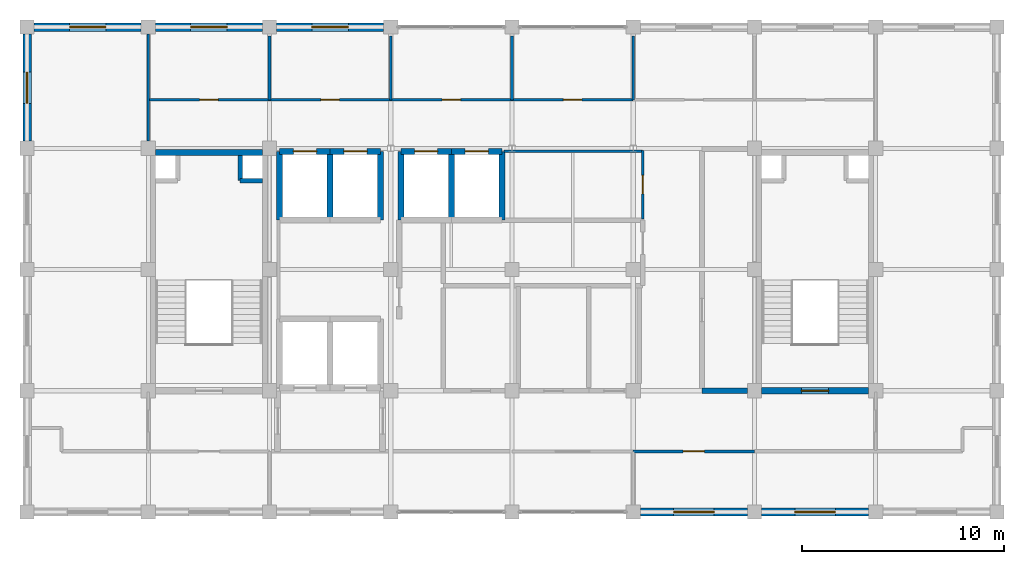
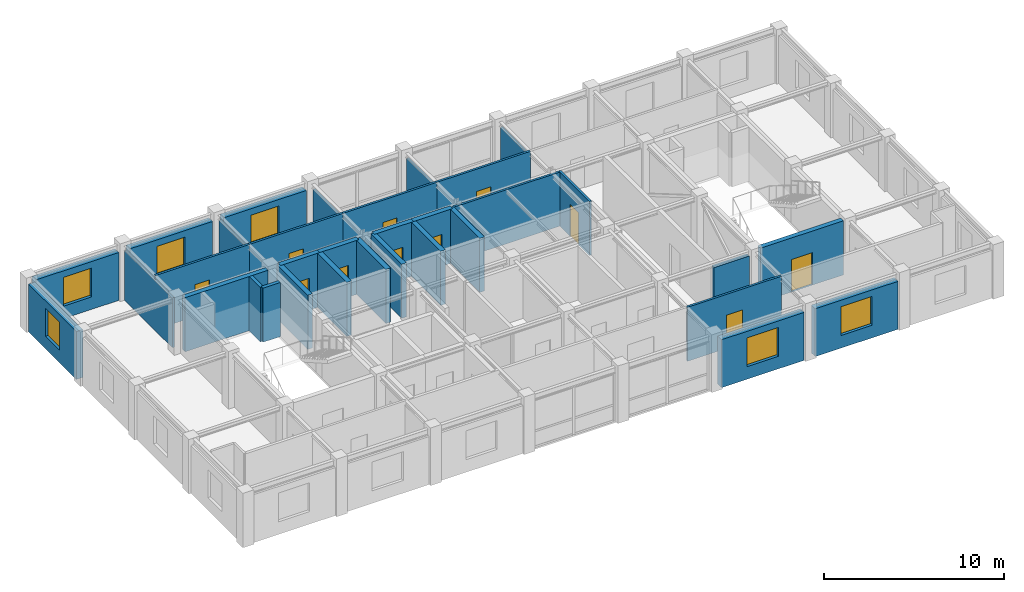
# One storey, part 9 of 11: 33 walls, 11 doors, 6 windows, 17 openings.
"""IFC4 building model written with IfcOpenShell, lengths in metres."""

from ifc_helpers import new_model, si_unit, direction, frame, frame_2d, origin, place, context, subcontext, project, spatial, rectangle, extrude, material, layer, layer_set, type_object, element, fill, save


model = new_model("IFC4")

# Units and contexts
model_context = context("Model", 3, precision=1e-05, world=origin(), true_north=direction((0.0, 1.0)))
body_context = subcontext(model_context, "Body", "Model", "MODEL_VIEW")
ifc_project = project(units=[si_unit("LENGTHUNIT", "METRE"), si_unit("AREAUNIT", "SQUARE_METRE"), si_unit("VOLUMEUNIT", "CUBIC_METRE"), si_unit("PLANEANGLEUNIT", "RADIAN"), si_unit("MASSUNIT", "GRAM", prefix="KILO")], contexts=[model_context])

# Site, building, storey
site_placement = place(None, origin())
site = spatial("IfcSite", under=ifc_project, at=site_placement, CompositionType="ELEMENT")
building_placement = place(site_placement, origin())
building = spatial("IfcBuilding", under=site, at=building_placement, Name="Zlatovratsky Civic Hall", CompositionType="ELEMENT")
storey_placement = place(building_placement, frame((0.0, 0.0, 63.89990234375)))
storey = spatial("IfcBuildingStorey", under=building, at=storey_placement, Name="L16", CompositionType="ELEMENT", Elevation=63.89990234375)

# Wall
ifc_material_1 = material(Name="Acoustic ceramic blockwork", Category="masonry")
ifc_layer_1 = layer(ifc_material_1, 0.260009765625)
ifc_layer_set_1 = layer_set([ifc_layer_1], Name="Acoustic ceramic blockwork")
wall_type_1 = type_object("IfcWallType", Name="Wall_ArchiveCompartment_260", PredefinedType="PARTITIONING", material=ifc_layer_set_1)
wall_1_placement = place(storey_placement, frame((93.39990234375, 84.0, 0.0), z_axis=(0.0, 0.0, 1.0), x_axis=(1.0, 0.0, 0.0)))
element("IfcWall", 1, at=wall_1_placement, inside=storey, type_object=wall_type_1, Name="WL-6734", PredefinedType="PARTITIONING", context=body_context, shape_type="SweptSolid", body=[
    extrude(rectangle(XDim=2.25, YDim=0.260009765625, at=frame_2d((1.125, 0.0))), origin(), (0.0, 0.0, 1.0), 3.369140625),
])

# Wall, opening, door
ifc_material_2 = material(Name="Fire-rated gypsum board framing", Category="gypsum")
ifc_layer_2 = layer(ifc_material_2, 0.139892578125)
ifc_layer_set_2 = layer_set([ifc_layer_2], Name="Fire-rated gypsum board framing")
wall_type_2 = type_object("IfcWallType", Name="Wall_OfficePartition_140", PredefinedType="PARTITIONING", material=ifc_layer_set_2)
wall_2_placement = place(storey_placement, frame((90.0, 81.0, 0.0), z_axis=(0.0, 0.0, 1.0), x_axis=(1.0, 0.0, 0.0)))
wall_2 = element("IfcWall", 2, at=wall_2_placement, inside=storey, type_object=wall_type_2, Name="WL-6749", PredefinedType="PARTITIONING", context=body_context, shape_type="SweptSolid", body=[
    extrude(rectangle(XDim=6.0, YDim=0.139892578125, at=frame_2d((3.0, 0.0))), origin(), (0.0, 0.0, 1.0), 3.66015625),
])
opening_1_placement = place(wall_2_placement, frame((2.47509765625, 0.0, 0.0)))
opening_1 = element("IfcOpeningElement", 3, at=opening_1_placement, cuts=wall_2, Name="Opening D-24", PredefinedType="OPENING", context=body_context, shape_type="SweptSolid", body=[
    extrude(rectangle(XDim=1.050048828125, YDim=2.25, at=frame_2d((0.52490234375, 1.125))), frame((0.0, 0.0849609375, 0.0), z_axis=(0.0, -1.0, 0.0), x_axis=(1.0, 0.0, 0.0)), (0.0, 0.0, 1.0), 0.169677734375),
])
ifc_material_3 = material(Name="Solid oak joinery in steel frame", Category="steel")
door_type_1 = type_object("IfcDoorType", Name="Door_DirectorateOffice_1050x2250", OperationType="NOTDEFINED", PredefinedType="DOOR", material=ifc_material_3)
door_1_placement = place(opening_1_placement, origin())
door_1 = element("IfcDoor", 4, at=door_1_placement, inside=storey, type_object=door_type_1, Name="DR-5546", OperationType="SINGLE_SWING_RIGHT", OverallHeight=2.25, OverallWidth=1.050048828125, PredefinedType="DOOR", context=body_context, shape_type="SweptSolid", body=[
    extrude(rectangle(XDim=1.050048828125, YDim=2.25, at=frame_2d((0.52490234375, 1.125))), frame((0.0, 0.02490234375, 0.0), z_axis=(0.0, -1.0, 0.0), x_axis=(1.0, 0.0, 0.0)), (0.0, 0.0, 1.0), 0.050048828125),
])
fill(opening_1, door_1)

wall_3_placement = place(storey_placement, frame((90.469970703125, 92.5, 0.0), z_axis=(0.0, 0.0, 1.0), x_axis=(0.0, 1.0, 0.0)))
wall_3 = element("IfcWall", 5, at=wall_3_placement, inside=storey, type_object=wall_type_2, Name="WL-6751", PredefinedType="PARTITIONING", context=body_context, shape_type="SweptSolid", body=[
    extrude(rectangle(XDim=3.39990234375, YDim=0.139892578125, at=frame_2d((1.699951171875, 0.0))), origin(), (0.0, 0.0, 1.0), 3.66015625),
])
opening_2_placement = place(wall_3_placement, frame((1.239990234375, 0.0, 0.0)))
opening_2 = element("IfcOpeningElement", 6, at=opening_2_placement, cuts=wall_3, Name="Opening D-23", PredefinedType="OPENING", context=body_context, shape_type="SweptSolid", body=[
    extrude(rectangle(XDim=0.919921875, YDim=2.14990234375, at=frame_2d((0.4599609375, 1.074951171875))), frame((0.0, 0.0849609375, 0.0), z_axis=(0.0, -1.0, 0.0), x_axis=(1.0, 0.0, 0.0)), (0.0, 0.0, 1.0), 0.169677734375),
])
door_type_2 = type_object("IfcDoorType", Name="Door_OfficeStandard_920x2150", OperationType="NOTDEFINED", PredefinedType="DOOR", material=ifc_material_3)
door_2_placement = place(opening_2_placement, origin())
door_2 = element("IfcDoor", 7, at=door_2_placement, inside=storey, type_object=door_type_2, Name="DR-5548", OperationType="SINGLE_SWING_LEFT", OverallHeight=2.14990234375, OverallWidth=0.919921875, PredefinedType="DOOR", context=body_context, shape_type="SweptSolid", body=[
    extrude(rectangle(XDim=0.919921875, YDim=2.14990234375, at=frame_2d((0.4599609375, 1.074951171875))), frame((0.0, 0.02490234375, 0.0), z_axis=(0.0, -1.0, 0.0), x_axis=(1.0, 0.0, 0.0)), (0.0, 0.0, 1.0), 0.050048828125),
])
fill(opening_2, door_2)

wall_4_placement = place(storey_placement, frame((66.0, 98.39990234375, 0.0), z_axis=(0.0, 0.0, 1.0), x_axis=(1.0, 0.0, 0.0)))
wall_4 = element("IfcWall", 8, at=wall_4_placement, inside=storey, type_object=wall_type_2, Name="WL-6752", PredefinedType="PARTITIONING", context=body_context, shape_type="SweptSolid", body=[
    extrude(rectangle(XDim=6.0, YDim=0.139892578125, at=frame_2d((3.0, 0.0))), origin(), (0.0, 0.0, 1.0), 3.66015625),
])
opening_3_placement = place(wall_4_placement, frame((2.5400390625, 0.0, 0.0)))
opening_3 = element("IfcOpeningElement", 9, at=opening_3_placement, cuts=wall_4, Name="Opening D-23", PredefinedType="OPENING", context=body_context, shape_type="SweptSolid", body=[
    extrude(rectangle(XDim=0.919921875, YDim=2.14990234375, at=frame_2d((0.4599609375, 1.074951171875))), frame((0.0, 0.0849609375, 0.0), z_axis=(0.0, -1.0, 0.0), x_axis=(1.0, 0.0, 0.0)), (0.0, 0.0, 1.0), 0.169677734375),
])
door_3_placement = place(opening_3_placement, origin())
door_3 = element("IfcDoor", 10, at=door_3_placement, inside=storey, type_object=door_type_2, Name="DR-5549", OperationType="SINGLE_SWING_RIGHT", OverallHeight=2.14990234375, OverallWidth=0.919921875, PredefinedType="DOOR", context=body_context, shape_type="SweptSolid", body=[
    extrude(rectangle(XDim=0.919921875, YDim=2.14990234375, at=frame_2d((0.4599609375, 1.074951171875))), frame((0.0, 0.02490234375, 0.0), z_axis=(0.0, -1.0, 0.0), x_axis=(1.0, 0.0, 0.0)), (0.0, 0.0, 1.0), 0.050048828125),
])
fill(opening_3, door_3)

wall_5_placement = place(storey_placement, frame((72.0, 98.39990234375, 0.0), z_axis=(0.0, 0.0, 1.0), x_axis=(1.0, 0.0, 0.0)))
wall_5 = element("IfcWall", 11, at=wall_5_placement, inside=storey, type_object=wall_type_2, Name="WL-6753", PredefinedType="PARTITIONING", context=body_context, shape_type="SweptSolid", body=[
    extrude(rectangle(XDim=6.0, YDim=0.139892578125, at=frame_2d((3.0, 0.0))), origin(), (0.0, 0.0, 1.0), 3.66015625),
])
opening_4_placement = place(wall_5_placement, frame((2.5400390625, 0.0, 0.0)))
opening_4 = element("IfcOpeningElement", 12, at=opening_4_placement, cuts=wall_5, Name="Opening D-23", PredefinedType="OPENING", context=body_context, shape_type="SweptSolid", body=[
    extrude(rectangle(XDim=0.919921875, YDim=2.14990234375, at=frame_2d((0.4599609375, 1.074951171875))), frame((0.0, 0.0849609375, 0.0), z_axis=(0.0, -1.0, 0.0), x_axis=(1.0, 0.0, 0.0)), (0.0, 0.0, 1.0), 0.169677734375),
])
door_4_placement = place(opening_4_placement, origin())
door_4 = element("IfcDoor", 13, at=door_4_placement, inside=storey, type_object=door_type_2, Name="DR-5550", OperationType="SINGLE_SWING_RIGHT", OverallHeight=2.14990234375, OverallWidth=0.919921875, PredefinedType="DOOR", context=body_context, shape_type="SweptSolid", body=[
    extrude(rectangle(XDim=0.919921875, YDim=2.14990234375, at=frame_2d((0.4599609375, 1.074951171875))), frame((0.0, 0.02490234375, 0.0), z_axis=(0.0, -1.0, 0.0), x_axis=(1.0, 0.0, 0.0)), (0.0, 0.0, 1.0), 0.050048828125),
])
fill(opening_4, door_4)

wall_6_placement = place(storey_placement, frame((78.0, 98.39990234375, 0.0), z_axis=(0.0, 0.0, 1.0), x_axis=(1.0, 0.0, 0.0)))
wall_6 = element("IfcWall", 14, at=wall_6_placement, inside=storey, type_object=wall_type_2, Name="WL-6754", PredefinedType="PARTITIONING", context=body_context, shape_type="SweptSolid", body=[
    extrude(rectangle(XDim=6.0, YDim=0.139892578125, at=frame_2d((3.0, 0.0))), origin(), (0.0, 0.0, 1.0), 3.66015625),
])
opening_5_placement = place(wall_6_placement, frame((2.5400390625, 0.0, 0.0)))
opening_5 = element("IfcOpeningElement", 15, at=opening_5_placement, cuts=wall_6, Name="Opening D-23", PredefinedType="OPENING", context=body_context, shape_type="SweptSolid", body=[
    extrude(rectangle(XDim=0.919921875, YDim=2.14990234375, at=frame_2d((0.4599609375, 1.074951171875))), frame((0.0, 0.0849609375, 0.0), z_axis=(0.0, -1.0, 0.0), x_axis=(1.0, 0.0, 0.0)), (0.0, 0.0, 1.0), 0.169677734375),
])
door_5_placement = place(opening_5_placement, origin())
door_5 = element("IfcDoor", 16, at=door_5_placement, inside=storey, type_object=door_type_2, Name="DR-5551", OperationType="SINGLE_SWING_RIGHT", OverallHeight=2.14990234375, OverallWidth=0.919921875, PredefinedType="DOOR", context=body_context, shape_type="SweptSolid", body=[
    extrude(rectangle(XDim=0.919921875, YDim=2.14990234375, at=frame_2d((0.4599609375, 1.074951171875))), frame((0.0, 0.02490234375, 0.0), z_axis=(0.0, -1.0, 0.0), x_axis=(1.0, 0.0, 0.0)), (0.0, 0.0, 1.0), 0.050048828125),
])
fill(opening_5, door_5)

wall_7_placement = place(storey_placement, frame((84.0, 98.39990234375, 0.0), z_axis=(0.0, 0.0, 1.0), x_axis=(1.0, 0.0, 0.0)))
wall_7 = element("IfcWall", 17, at=wall_7_placement, inside=storey, type_object=wall_type_2, Name="WL-6755", PredefinedType="PARTITIONING", context=body_context, shape_type="SweptSolid", body=[
    extrude(rectangle(XDim=6.0, YDim=0.139892578125, at=frame_2d((3.0, 0.0))), origin(), (0.0, 0.0, 1.0), 3.66015625),
])
opening_6_placement = place(wall_7_placement, frame((2.5400390625, 0.0, 0.0)))
opening_6 = element("IfcOpeningElement", 18, at=opening_6_placement, cuts=wall_7, Name="Opening D-23", PredefinedType="OPENING", context=body_context, shape_type="SweptSolid", body=[
    extrude(rectangle(XDim=0.919921875, YDim=2.14990234375, at=frame_2d((0.4599609375, 1.074951171875))), frame((0.0, 0.0849609375, 0.0), z_axis=(0.0, -1.0, 0.0), x_axis=(1.0, 0.0, 0.0)), (0.0, 0.0, 1.0), 0.169677734375),
])
door_6_placement = place(opening_6_placement, origin())
door_6 = element("IfcDoor", 19, at=door_6_placement, inside=storey, type_object=door_type_2, Name="DR-5552", OperationType="SINGLE_SWING_RIGHT", OverallHeight=2.14990234375, OverallWidth=0.919921875, PredefinedType="DOOR", context=body_context, shape_type="SweptSolid", body=[
    extrude(rectangle(XDim=0.919921875, YDim=2.14990234375, at=frame_2d((0.4599609375, 1.074951171875))), frame((0.0, 0.02490234375, 0.0), z_axis=(0.0, -1.0, 0.0), x_axis=(1.0, 0.0, 0.0)), (0.0, 0.0, 1.0), 0.050048828125),
])
fill(opening_6, door_6)

# Walls
wall_8_placement = place(storey_placement, frame((83.60009765625, 95.85009765625, 0.0), z_axis=(0.0, 0.0, 1.0), x_axis=(1.0, 0.0, 0.0)))
element("IfcWall", 20, at=wall_8_placement, inside=storey, type_object=wall_type_2, Name="WL-6761", PredefinedType="PARTITIONING", context=body_context, shape_type="SweptSolid", body=[
    extrude(rectangle(XDim=6.869873046875, YDim=0.139892578125, at=frame_2d((3.43505859375, 0.0))), origin(), (0.0, 0.0, 1.0), 3.66015625),
])
for number, where, z_axis, x_axis, name in (
    (21, (72.0, 98.39990234375, 0.0), (0.0, 0.0, 1.0), (0.0, 1.0, 0.0), "WL-6762"),
    (22, (78.0, 98.39990234375, 0.0), (0.0, 0.0, 1.0), (0.0, 1.0, 0.0), "WL-6763"),
    (23, (84.0, 98.39990234375, 0.0), (0.0, 0.0, 1.0), (0.0, 1.0, 0.0), "WL-6764"),
    (24, (90.0, 98.39990234375, 0.0), (0.0, 0.0, 1.0), (0.0, 1.0, 0.0), "WL-6765"),
):
    element("IfcWall", number, at=place(storey_placement, frame(where, z_axis=z_axis, x_axis=x_axis)), inside=storey, type_object=wall_type_2, Name=name, PredefinedType="PARTITIONING", context=body_context, shape_type="SweptSolid", body=[
        extrude(rectangle(XDim=3.150146484375, YDim=0.139892578125, at=frame_2d((1.5751953125, 0.0))), origin(), (0.0, 0.0, 1.0), 3.369140625),
    ])
wall_9_placement = place(storey_placement, frame((66.0, 96.35009765625, 0.0), z_axis=(0.0, 0.0, 1.0), x_axis=(0.0, 1.0, 0.0)))
element("IfcWall", 25, at=wall_9_placement, inside=storey, type_object=wall_type_2, Name="WL-6778", PredefinedType="PARTITIONING", context=body_context, shape_type="SweptSolid", body=[
    extrude(rectangle(XDim=5.2998046875, YDim=0.139892578125, at=frame_2d((2.64990234375, 0.0))), origin(), (0.0, 0.0, 1.0), 3.369140625),
])
ifc_layer_3 = layer(ifc_material_1, 0.219970703125)
ifc_layer_set_3 = layer_set([ifc_layer_3], Name="Acoustic ceramic blockwork")
wall_type_3 = type_object("IfcWallType", Name="Wall_SanitaryWetCore_220", PredefinedType="PARTITIONING", material=ifc_layer_set_3)
wall_10_placement = place(storey_placement, frame((70.550048828125, 94.39990234375, 0.0), z_axis=(0.0, 0.0, 1.0), x_axis=(0.0, 1.0, 0.0)))
element("IfcWall", 26, at=wall_10_placement, inside=storey, type_object=wall_type_3, Name="WL-5135", PredefinedType="PARTITIONING", context=body_context, shape_type="SweptSolid", body=[
    extrude(rectangle(XDim=1.25, YDim=0.219970703125, at=frame_2d((0.625, 0.0))), origin(), (0.0, 0.0, 1.0), 3.66015625),
])
wall_11_placement = place(storey_placement, frame((70.550048828125, 94.39990234375, 0.0), z_axis=(0.0, 0.0, 1.0), x_axis=(1.0, 0.0, 0.0)))
element("IfcWall", 27, at=wall_11_placement, inside=storey, type_object=wall_type_3, Name="WL-5136", PredefinedType="PARTITIONING", context=body_context, shape_type="SweptSolid", body=[
    extrude(rectangle(XDim=1.099853515625, YDim=0.219970703125, at=frame_2d((0.5498046875, 0.0))), origin(), (0.0, 0.0, 1.0), 3.66015625),
])
ifc_material_4 = material(Name="Concrete C35/45 (B40)", Category="concrete")
ifc_layer_4 = layer(ifc_material_4, 0.300048828125)
ifc_layer_set_4 = layer_set([ifc_layer_4], Name="Concrete C35/45 (B40)")
wall_type_4 = type_object("IfcWallType", Name="Wall_StairAndLiftShaft_300", PredefinedType="SHEAR", material=ifc_layer_set_4)
wall_12_placement = place(storey_placement, frame((66.35009765625, 95.800048828125, 0.0), z_axis=(0.0, 0.0, 1.0), x_axis=(1.0, 0.0, 0.0)))
element("IfcWall", 28, at=wall_12_placement, inside=storey, type_object=wall_type_4, Name="WL-5130", PredefinedType="SHEAR", context=body_context, shape_type="SweptSolid", body=[
    extrude(rectangle(XDim=5.2998046875, YDim=0.300048828125, at=frame_2d((2.64990234375, 0.0))), origin(), (0.0, 0.0, 1.0), 3.66015625),
])

# Wall, opening, door
wall_13_placement = place(storey_placement, frame((96.35009765625, 84.0, 0.0), z_axis=(0.0, 0.0, 1.0), x_axis=(1.0, 0.0, 0.0)))
wall_13 = element("IfcWall", 29, at=wall_13_placement, inside=storey, type_object=wall_type_4, Name="WL-5287", PredefinedType="SHEAR", context=body_context, shape_type="SweptSolid", body=[
    extrude(rectangle(XDim=5.2998046875, YDim=0.300048828125, at=frame_2d((2.64990234375, 0.0))), origin(), (0.0, 0.0, 1.0), 3.66015625),
])
opening_7_placement = place(wall_13_placement, frame((1.97509765625, 0.0, 0.0)))
opening_7 = element("IfcOpeningElement", 30, at=opening_7_placement, cuts=wall_13, Name="Opening D-17", PredefinedType="OPENING", context=body_context, shape_type="SweptSolid", body=[
    extrude(rectangle(XDim=1.35009765625, YDim=2.199951171875, at=frame_2d((0.675048828125, 1.10009765625))), frame((0.0, 0.1650390625, 0.0), z_axis=(0.0, -1.0, 0.0), x_axis=(1.0, 0.0, 0.0)), (0.0, 0.0, 1.0), 0.329833984375),
])
ifc_material_5 = material(Name="Insulated painted fire-rated steel leaf", Category="steel")
door_type_3 = type_object("IfcDoorType", Name="Door_StairwellFireTower_1350x2200", OperationType="NOTDEFINED", PredefinedType="DOOR", material=ifc_material_5)
door_7_placement = place(opening_7_placement, origin())
door_7 = element("IfcDoor", 31, at=door_7_placement, inside=storey, type_object=door_type_3, Name="DR-5036", OperationType="SINGLE_SWING_LEFT", OverallHeight=2.199951171875, OverallWidth=1.35009765625, PredefinedType="DOOR", context=body_context, shape_type="SweptSolid", body=[
    extrude(rectangle(XDim=1.35009765625, YDim=2.199951171875, at=frame_2d((0.675048828125, 1.10009765625))), frame((0.0, 0.02490234375, 0.0), z_axis=(0.0, -1.0, 0.0), x_axis=(1.0, 0.0, 0.0)), (0.0, 0.0, 1.0), 0.050048828125),
])
fill(opening_7, door_7)

wall_14_placement = place(storey_placement, frame((72.5, 95.85009765625, 0.0), z_axis=(0.0, 0.0, 1.0), x_axis=(1.0, 0.0, 0.0)))
wall_14 = element("IfcWall", 32, at=wall_14_placement, inside=storey, type_object=wall_type_4, Name="WL-5674", PredefinedType="SHEAR", context=body_context, shape_type="SweptSolid", body=[
    extrude(rectangle(XDim=2.5, YDim=0.300048828125, at=frame_2d((1.25, 0.0))), origin(), (0.0, 0.0, 1.0), 3.66015625),
])
opening_8_placement = place(wall_14_placement, frame((0.675048828125, 0.0, 0.0)))
opening_8 = element("IfcOpeningElement", 33, at=opening_8_placement, cuts=wall_14, Name="Opening LD-02", PredefinedType="OPENING", context=body_context, shape_type="SweptSolid", body=[
    extrude(rectangle(XDim=1.14990234375, YDim=2.14990234375, at=frame_2d((0.574951171875, 1.074951171875))), frame((0.0, 0.1650390625, 0.0), z_axis=(0.0, -1.0, 0.0), x_axis=(1.0, 0.0, 0.0)), (0.0, 0.0, 1.0), 0.329833984375),
])
ifc_material_6 = material(Name="Brushed stainless steel AISI 304", Category="steel")
door_type_4 = type_object("IfcDoorType", Name="Door_LiftLandingHighRise_1150x2150", OperationType="DOUBLE_DOOR_SLIDING", PredefinedType="DOOR", material=ifc_material_6)
door_8_placement = place(opening_8_placement, origin())
door_8 = element("IfcDoor", 34, at=door_8_placement, inside=storey, type_object=door_type_4, Name="Lift landing door LD-5113", OperationType="DOUBLE_DOOR_SLIDING", OverallHeight=2.14990234375, OverallWidth=1.14990234375, PredefinedType="DOOR", context=body_context, shape_type="SweptSolid", body=[
    extrude(rectangle(XDim=1.14990234375, YDim=2.14990234375, at=frame_2d((0.574951171875, 1.074951171875))), frame((0.0, 0.02490234375, 0.0), z_axis=(0.0, -1.0, 0.0), x_axis=(1.0, 0.0, 0.0)), (0.0, 0.0, 1.0), 0.050048828125),
])
fill(opening_8, door_8)

# Wall
wall_15_placement = place(storey_placement, frame((72.5, 92.449951171875, 0.0), z_axis=(0.0, 0.0, 1.0), x_axis=(0.0, 1.0, 0.0)))
element("IfcWall", 35, at=wall_15_placement, inside=storey, type_object=wall_type_4, Name="WL-5676", PredefinedType="SHEAR", context=body_context, shape_type="SweptSolid", body=[
    extrude(rectangle(XDim=3.400146484375, YDim=0.300048828125, at=frame_2d((1.7001953125, 0.0))), origin(), (0.0, 0.0, 1.0), 3.66015625),
])

# Wall, opening, door
wall_16_placement = place(storey_placement, frame((75.0, 95.85009765625, 0.0), z_axis=(0.0, 0.0, 1.0), x_axis=(1.0, 0.0, 0.0)))
wall_16 = element("IfcWall", 36, at=wall_16_placement, inside=storey, type_object=wall_type_4, Name="WL-5747", PredefinedType="SHEAR", context=body_context, shape_type="SweptSolid", body=[
    extrude(rectangle(XDim=2.5, YDim=0.300048828125, at=frame_2d((1.25, 0.0))), origin(), (0.0, 0.0, 1.0), 3.66015625),
])
opening_9_placement = place(wall_16_placement, frame((0.675048828125, 0.0, 0.0)))
opening_9 = element("IfcOpeningElement", 37, at=opening_9_placement, cuts=wall_16, Name="Opening LD-02", PredefinedType="OPENING", context=body_context, shape_type="SweptSolid", body=[
    extrude(rectangle(XDim=1.14990234375, YDim=2.14990234375, at=frame_2d((0.574951171875, 1.074951171875))), frame((0.0, 0.1650390625, 0.0), z_axis=(0.0, -1.0, 0.0), x_axis=(1.0, 0.0, 0.0)), (0.0, 0.0, 1.0), 0.329833984375),
])
door_9_placement = place(opening_9_placement, origin())
door_9 = element("IfcDoor", 38, at=door_9_placement, inside=storey, type_object=door_type_4, Name="Lift landing door LD-5132", OperationType="DOUBLE_DOOR_SLIDING", OverallHeight=2.14990234375, OverallWidth=1.14990234375, PredefinedType="DOOR", context=body_context, shape_type="SweptSolid", body=[
    extrude(rectangle(XDim=1.14990234375, YDim=2.14990234375, at=frame_2d((0.574951171875, 1.074951171875))), frame((0.0, 0.02490234375, 0.0), z_axis=(0.0, -1.0, 0.0), x_axis=(1.0, 0.0, 0.0)), (0.0, 0.0, 1.0), 0.050048828125),
])
fill(opening_9, door_9)

# Walls
for number, where, z_axis, x_axis, name in (
    (39, (75.0, 92.449951171875, 0.0), (0.0, 0.0, 1.0), (0.0, 1.0, 0.0), "WL-5749"),
    (40, (77.5, 92.449951171875, 0.0), (0.0, 0.0, 1.0), (0.0, 1.0, 0.0), "WL-5750"),
):
    element("IfcWall", number, at=place(storey_placement, frame(where, z_axis=z_axis, x_axis=x_axis)), inside=storey, type_object=wall_type_4, Name=name, PredefinedType="SHEAR", context=body_context, shape_type="SweptSolid", body=[
        extrude(rectangle(XDim=3.400146484375, YDim=0.300048828125, at=frame_2d((1.7001953125, 0.0))), origin(), (0.0, 0.0, 1.0), 3.66015625),
    ])

# Wall, opening, door
wall_17_placement = place(storey_placement, frame((78.5, 95.85009765625, 0.0), z_axis=(0.0, 0.0, 1.0), x_axis=(1.0, 0.0, 0.0)))
wall_17 = element("IfcWall", 41, at=wall_17_placement, inside=storey, type_object=wall_type_4, Name="WL-5807", PredefinedType="SHEAR", context=body_context, shape_type="SweptSolid", body=[
    extrude(rectangle(XDim=2.5, YDim=0.300048828125, at=frame_2d((1.25, 0.0))), origin(), (0.0, 0.0, 1.0), 3.66015625),
])
opening_10_placement = place(wall_17_placement, frame((0.675048828125, 0.0, 0.0)))
opening_10 = element("IfcOpeningElement", 42, at=opening_10_placement, cuts=wall_17, Name="Opening LD-02", PredefinedType="OPENING", context=body_context, shape_type="SweptSolid", body=[
    extrude(rectangle(XDim=1.14990234375, YDim=2.14990234375, at=frame_2d((0.574951171875, 1.074951171875))), frame((0.0, 0.1650390625, 0.0), z_axis=(0.0, -1.0, 0.0), x_axis=(1.0, 0.0, 0.0)), (0.0, 0.0, 1.0), 0.329833984375),
])
door_10_placement = place(opening_10_placement, origin())
door_10 = element("IfcDoor", 43, at=door_10_placement, inside=storey, type_object=door_type_4, Name="Lift landing door LD-5151", OperationType="DOUBLE_DOOR_SLIDING", OverallHeight=2.14990234375, OverallWidth=1.14990234375, PredefinedType="DOOR", context=body_context, shape_type="SweptSolid", body=[
    extrude(rectangle(XDim=1.14990234375, YDim=2.14990234375, at=frame_2d((0.574951171875, 1.074951171875))), frame((0.0, 0.02490234375, 0.0), z_axis=(0.0, -1.0, 0.0), x_axis=(1.0, 0.0, 0.0)), (0.0, 0.0, 1.0), 0.050048828125),
])
fill(opening_10, door_10)

# Wall
wall_18_placement = place(storey_placement, frame((78.5, 92.449951171875, 0.0), z_axis=(0.0, 0.0, 1.0), x_axis=(0.0, 1.0, 0.0)))
element("IfcWall", 44, at=wall_18_placement, inside=storey, type_object=wall_type_4, Name="WL-5809", PredefinedType="SHEAR", context=body_context, shape_type="SweptSolid", body=[
    extrude(rectangle(XDim=3.400146484375, YDim=0.300048828125, at=frame_2d((1.7001953125, 0.0))), origin(), (0.0, 0.0, 1.0), 3.66015625),
])

# Wall, opening, door
wall_19_placement = place(storey_placement, frame((81.0, 95.85009765625, 0.0), z_axis=(0.0, 0.0, 1.0), x_axis=(1.0, 0.0, 0.0)))
wall_19 = element("IfcWall", 45, at=wall_19_placement, inside=storey, type_object=wall_type_4, Name="WL-5880", PredefinedType="SHEAR", context=body_context, shape_type="SweptSolid", body=[
    extrude(rectangle(XDim=2.5, YDim=0.300048828125, at=frame_2d((1.25, 0.0))), origin(), (0.0, 0.0, 1.0), 3.66015625),
])
opening_11_placement = place(wall_19_placement, frame((0.675048828125, 0.0, 0.0)))
opening_11 = element("IfcOpeningElement", 46, at=opening_11_placement, cuts=wall_19, Name="Opening LD-02", PredefinedType="OPENING", context=body_context, shape_type="SweptSolid", body=[
    extrude(rectangle(XDim=1.14990234375, YDim=2.14990234375, at=frame_2d((0.574951171875, 1.074951171875))), frame((0.0, 0.1650390625, 0.0), z_axis=(0.0, -1.0, 0.0), x_axis=(1.0, 0.0, 0.0)), (0.0, 0.0, 1.0), 0.329833984375),
])
door_11_placement = place(opening_11_placement, origin())
door_11 = element("IfcDoor", 47, at=door_11_placement, inside=storey, type_object=door_type_4, Name="Lift landing door LD-5170", OperationType="DOUBLE_DOOR_SLIDING", OverallHeight=2.14990234375, OverallWidth=1.14990234375, PredefinedType="DOOR", context=body_context, shape_type="SweptSolid", body=[
    extrude(rectangle(XDim=1.14990234375, YDim=2.14990234375, at=frame_2d((0.574951171875, 1.074951171875))), frame((0.0, 0.02490234375, 0.0), z_axis=(0.0, -1.0, 0.0), x_axis=(1.0, 0.0, 0.0)), (0.0, 0.0, 1.0), 0.050048828125),
])
fill(opening_11, door_11)

# Walls
for number, where, z_axis, x_axis, name in (
    (48, (81.0, 92.449951171875, 0.0), (0.0, 0.0, 1.0), (0.0, 1.0, 0.0), "WL-5882"),
    (49, (83.5, 92.449951171875, 0.0), (0.0, 0.0, 1.0), (0.0, 1.0, 0.0), "WL-5883"),
):
    element("IfcWall", number, at=place(storey_placement, frame(where, z_axis=z_axis, x_axis=x_axis)), inside=storey, type_object=wall_type_4, Name=name, PredefinedType="SHEAR", context=body_context, shape_type="SweptSolid", body=[
        extrude(rectangle(XDim=3.400146484375, YDim=0.300048828125, at=frame_2d((1.7001953125, 0.0))), origin(), (0.0, 0.0, 1.0), 3.66015625),
    ])

# Wall, opening, window
ifc_layer_5 = layer(ifc_material_1, 0.280029296875, Name="Backing")
ifc_material_7 = material(Name="Podolsk limestone ashlar", Category="masonry")
ifc_layer_6 = layer(ifc_material_7, 0.139892578125, Name="Finish")
ifc_layer_set_5 = layer_set([ifc_layer_5, ifc_layer_6], Name="Acoustic ceramic blockwork")
wall_type_5 = type_object("IfcWallType", Name="Wall_TowerLimestoneAshlar_420", PredefinedType="SOLIDWALL", material=ifc_layer_set_5)
wall_20_placement = place(storey_placement, frame((90.35009765625, 78.0, 0.0), z_axis=(0.0, 0.0, 1.0), x_axis=(1.0, 0.0, 0.0)))
wall_20 = element("IfcWall", 50, at=wall_20_placement, inside=storey, type_object=wall_type_5, Name="WL-0652", PredefinedType="SOLIDWALL", context=body_context, shape_type="SweptSolid", body=[
    extrude(rectangle(XDim=5.2998046875, YDim=0.419921875, at=frame_2d((2.64990234375, 0.0))), origin(), (0.0, 0.0, 1.0), 3.239990234375),
])
opening_12_placement = place(wall_20_placement, frame((1.64990234375, 0.0, 0.85009765625)))
opening_12 = element("IfcOpeningElement", 51, at=opening_12_placement, cuts=wall_20, Name="Opening WN-20", PredefinedType="OPENING", context=body_context, shape_type="SweptSolid", body=[
    extrude(rectangle(XDim=2.0, YDim=1.949951171875, at=frame_2d((1.0, 0.97509765625))), frame((0.0, 0.224853515625, 0.0), z_axis=(0.0, -1.0, 0.0), x_axis=(1.0, 0.0, 0.0)), (0.0, 0.0, 1.0), 0.44970703125),
])
ifc_material_8 = material(Name="Low-E laminated double glazing", Category="glass")
window_type_1 = type_object("IfcWindowType", Name="Window_TowerTier3South_2000x1950", PartitioningType="SINGLE_PANEL", PredefinedType="WINDOW", material=ifc_material_8)
window_1_placement = place(opening_12_placement, origin())
window_1 = element("IfcWindow", 52, at=window_1_placement, inside=storey, type_object=window_type_1, Name="WN-0524", OverallHeight=1.949951171875, OverallWidth=2.0, PartitioningType="SINGLE_PANEL", PredefinedType="WINDOW", context=body_context, shape_type="SweptSolid", body=[
    extrude(rectangle(XDim=2.0, YDim=1.949951171875, at=frame_2d((1.0, 0.97509765625))), frame((0.0, 0.030029296875, 0.0), z_axis=(0.0, -1.0, 0.0), x_axis=(1.0, 0.0, 0.0)), (0.0, 0.0, 1.0), 0.06005859375),
])
fill(opening_12, window_1)

wall_21_placement = place(storey_placement, frame((96.35009765625, 78.0, 0.0), z_axis=(0.0, 0.0, 1.0), x_axis=(1.0, 0.0, 0.0)))
wall_21 = element("IfcWall", 53, at=wall_21_placement, inside=storey, type_object=wall_type_5, Name="WL-0653", PredefinedType="SOLIDWALL", context=body_context, shape_type="SweptSolid", body=[
    extrude(rectangle(XDim=5.2998046875, YDim=0.419921875, at=frame_2d((2.64990234375, 0.0))), origin(), (0.0, 0.0, 1.0), 3.239990234375),
])
opening_13_placement = place(wall_21_placement, frame((1.64990234375, 0.0, 0.85009765625)))
opening_13 = element("IfcOpeningElement", 54, at=opening_13_placement, cuts=wall_21, Name="Opening WN-20", PredefinedType="OPENING", context=body_context, shape_type="SweptSolid", body=[
    extrude(rectangle(XDim=2.0, YDim=1.949951171875, at=frame_2d((1.0, 0.97509765625))), frame((0.0, 0.224853515625, 0.0), z_axis=(0.0, -1.0, 0.0), x_axis=(1.0, 0.0, 0.0)), (0.0, 0.0, 1.0), 0.44970703125),
])
window_2_placement = place(opening_13_placement, origin())
window_2 = element("IfcWindow", 55, at=window_2_placement, inside=storey, type_object=window_type_1, Name="WN-0525", OverallHeight=1.949951171875, OverallWidth=2.0, PartitioningType="SINGLE_PANEL", PredefinedType="WINDOW", context=body_context, shape_type="SweptSolid", body=[
    extrude(rectangle(XDim=2.0, YDim=1.949951171875, at=frame_2d((1.0, 0.97509765625))), frame((0.0, 0.030029296875, 0.0), z_axis=(0.0, -1.0, 0.0), x_axis=(1.0, 0.0, 0.0)), (0.0, 0.0, 1.0), 0.06005859375),
])
fill(opening_13, window_2)

wall_22_placement = place(storey_placement, frame((60.35009765625, 102.0, 0.0), z_axis=(0.0, 0.0, 1.0), x_axis=(1.0, 0.0, 0.0)))
wall_22 = element("IfcWall", 56, at=wall_22_placement, inside=storey, type_object=wall_type_5, Name="WL-0655", PredefinedType="SOLIDWALL", context=body_context, shape_type="SweptSolid", body=[
    extrude(rectangle(XDim=5.2998046875, YDim=0.419921875, at=frame_2d((2.64990234375, 0.0))), origin(), (0.0, 0.0, 1.0), 3.239990234375),
])
opening_14_placement = place(wall_22_placement, frame((1.75, 0.0, 0.85009765625)))
opening_14 = element("IfcOpeningElement", 57, at=opening_14_placement, cuts=wall_22, Name="Opening WN-21", PredefinedType="OPENING", context=body_context, shape_type="SweptSolid", body=[
    extrude(rectangle(XDim=1.800048828125, YDim=1.949951171875, at=frame_2d((0.89990234375, 0.97509765625))), frame((0.0, 0.224853515625, 0.0), z_axis=(0.0, -1.0, 0.0), x_axis=(1.0, 0.0, 0.0)), (0.0, 0.0, 1.0), 0.44970703125),
])
window_type_2 = type_object("IfcWindowType", Name="Window_TowerTier3North_1800x1950", PartitioningType="SINGLE_PANEL", PredefinedType="WINDOW", material=ifc_material_8)
window_3_placement = place(opening_14_placement, origin())
window_3 = element("IfcWindow", 58, at=window_3_placement, inside=storey, type_object=window_type_2, Name="WN-0527", OverallHeight=1.949951171875, OverallWidth=1.800048828125, PartitioningType="SINGLE_PANEL", PredefinedType="WINDOW", context=body_context, shape_type="SweptSolid", body=[
    extrude(rectangle(XDim=1.800048828125, YDim=1.949951171875, at=frame_2d((0.89990234375, 0.97509765625))), frame((0.0, 0.030029296875, 0.0), z_axis=(0.0, -1.0, 0.0), x_axis=(1.0, 0.0, 0.0)), (0.0, 0.0, 1.0), 0.06005859375),
])
fill(opening_14, window_3)

wall_23_placement = place(storey_placement, frame((66.35009765625, 102.0, 0.0), z_axis=(0.0, 0.0, 1.0), x_axis=(1.0, 0.0, 0.0)))
wall_23 = element("IfcWall", 59, at=wall_23_placement, inside=storey, type_object=wall_type_5, Name="WL-0656", PredefinedType="SOLIDWALL", context=body_context, shape_type="SweptSolid", body=[
    extrude(rectangle(XDim=5.2998046875, YDim=0.419921875, at=frame_2d((2.64990234375, 0.0))), origin(), (0.0, 0.0, 1.0), 3.239990234375),
])
opening_15_placement = place(wall_23_placement, frame((1.75, 0.0, 0.85009765625)))
opening_15 = element("IfcOpeningElement", 60, at=opening_15_placement, cuts=wall_23, Name="Opening WN-21", PredefinedType="OPENING", context=body_context, shape_type="SweptSolid", body=[
    extrude(rectangle(XDim=1.800048828125, YDim=1.949951171875, at=frame_2d((0.89990234375, 0.97509765625))), frame((0.0, 0.224853515625, 0.0), z_axis=(0.0, -1.0, 0.0), x_axis=(1.0, 0.0, 0.0)), (0.0, 0.0, 1.0), 0.44970703125),
])
window_4_placement = place(opening_15_placement, origin())
window_4 = element("IfcWindow", 61, at=window_4_placement, inside=storey, type_object=window_type_2, Name="WN-0528", OverallHeight=1.949951171875, OverallWidth=1.800048828125, PartitioningType="SINGLE_PANEL", PredefinedType="WINDOW", context=body_context, shape_type="SweptSolid", body=[
    extrude(rectangle(XDim=1.800048828125, YDim=1.949951171875, at=frame_2d((0.89990234375, 0.97509765625))), frame((0.0, 0.030029296875, 0.0), z_axis=(0.0, -1.0, 0.0), x_axis=(1.0, 0.0, 0.0)), (0.0, 0.0, 1.0), 0.06005859375),
])
fill(opening_15, window_4)

wall_24_placement = place(storey_placement, frame((72.35009765625, 102.0, 0.0), z_axis=(0.0, 0.0, 1.0), x_axis=(1.0, 0.0, 0.0)))
wall_24 = element("IfcWall", 62, at=wall_24_placement, inside=storey, type_object=wall_type_5, Name="WL-0657", PredefinedType="SOLIDWALL", context=body_context, shape_type="SweptSolid", body=[
    extrude(rectangle(XDim=5.2998046875, YDim=0.419921875, at=frame_2d((2.64990234375, 0.0))), origin(), (0.0, 0.0, 1.0), 3.239990234375),
])
opening_16_placement = place(wall_24_placement, frame((1.75, 0.0, 0.85009765625)))
opening_16 = element("IfcOpeningElement", 63, at=opening_16_placement, cuts=wall_24, Name="Opening WN-21", PredefinedType="OPENING", context=body_context, shape_type="SweptSolid", body=[
    extrude(rectangle(XDim=1.800048828125, YDim=1.949951171875, at=frame_2d((0.89990234375, 0.97509765625))), frame((0.0, 0.224853515625, 0.0), z_axis=(0.0, -1.0, 0.0), x_axis=(1.0, 0.0, 0.0)), (0.0, 0.0, 1.0), 0.44970703125),
])
window_5_placement = place(opening_16_placement, origin())
window_5 = element("IfcWindow", 64, at=window_5_placement, inside=storey, type_object=window_type_2, Name="WN-0529", OverallHeight=1.949951171875, OverallWidth=1.800048828125, PartitioningType="SINGLE_PANEL", PredefinedType="WINDOW", context=body_context, shape_type="SweptSolid", body=[
    extrude(rectangle(XDim=1.800048828125, YDim=1.949951171875, at=frame_2d((0.89990234375, 0.97509765625))), frame((0.0, 0.030029296875, 0.0), z_axis=(0.0, -1.0, 0.0), x_axis=(1.0, 0.0, 0.0)), (0.0, 0.0, 1.0), 0.06005859375),
])
fill(opening_16, window_5)

wall_25_placement = place(storey_placement, frame((60.0, 96.35009765625, 0.0), z_axis=(0.0, 0.0, 1.0), x_axis=(0.0, 1.0, 0.0)))
wall_25 = element("IfcWall", 65, at=wall_25_placement, inside=storey, type_object=wall_type_5, Name="WL-0664", PredefinedType="SOLIDWALL", context=body_context, shape_type="SweptSolid", body=[
    extrude(rectangle(XDim=5.2998046875, YDim=0.419921875, at=frame_2d((2.64990234375, 0.0))), origin(), (0.0, 0.0, 1.0), 3.239990234375),
])
opening_17_placement = place(wall_25_placement, frame((1.875, 0.0, 0.85009765625)))
opening_17 = element("IfcOpeningElement", 66, at=opening_17_placement, cuts=wall_25, Name="Opening WN-22", PredefinedType="OPENING", context=body_context, shape_type="SweptSolid", body=[
    extrude(rectangle(XDim=1.550048828125, YDim=1.89990234375, at=frame_2d((0.77490234375, 0.949951171875))), frame((0.0, 0.224853515625, 0.0), z_axis=(0.0, -1.0, 0.0), x_axis=(1.0, 0.0, 0.0)), (0.0, 0.0, 1.0), 0.44970703125),
])
window_type_3 = type_object("IfcWindowType", Name="Window_TowerTier3Flank_1550x1900", PartitioningType="SINGLE_PANEL", PredefinedType="WINDOW", material=ifc_material_8)
window_6_placement = place(opening_17_placement, origin())
window_6 = element("IfcWindow", 67, at=window_6_placement, inside=storey, type_object=window_type_3, Name="WN-0536", OverallHeight=1.89990234375, OverallWidth=1.550048828125, PartitioningType="SINGLE_PANEL", PredefinedType="WINDOW", context=body_context, shape_type="SweptSolid", body=[
    extrude(rectangle(XDim=1.550048828125, YDim=1.89990234375, at=frame_2d((0.77490234375, 0.949951171875))), frame((0.0, 0.030029296875, 0.0), z_axis=(0.0, -1.0, 0.0), x_axis=(1.0, 0.0, 0.0)), (0.0, 0.0, 1.0), 0.06005859375),
])
fill(opening_17, window_6)

save(model, "model.ifc")
